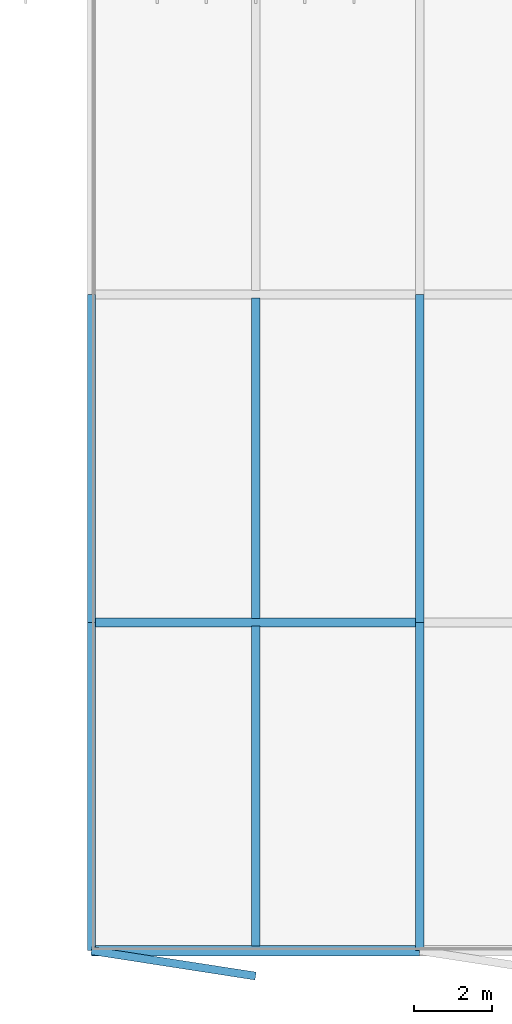
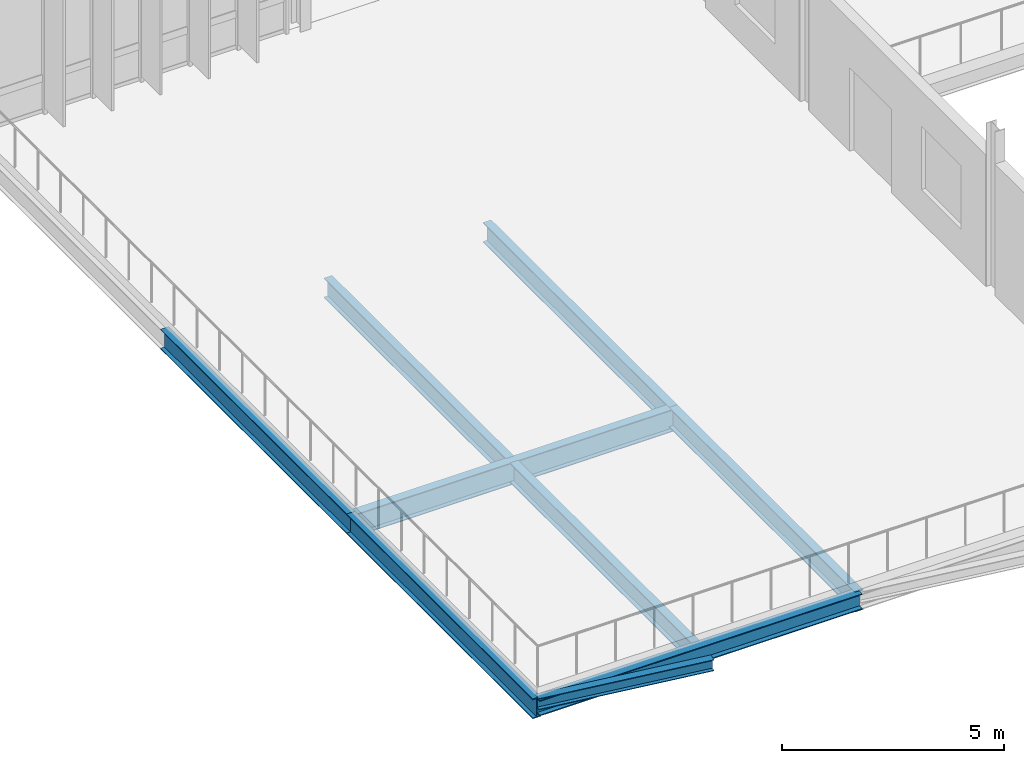
# One storey, part 20 of 139: 9 beams.
"""IFC4 building model written with IfcOpenShell, lengths in metres."""

from ifc_helpers import new_model, si_unit, derived_unit, direction, frame, origin, origin_2d, place, context, subcontext, project, spatial, i_section, extrude, material, material_profile, profile_set, type_object, element, save


model = new_model("IFC4")

# Units and contexts
model_context = context("Model", 3, precision=1e-05, world=origin(), true_north=direction((0.0, 1.0)))
body_context = subcontext(model_context, "Body", "Model", "MODEL_VIEW")
ifc_project = project(units=[si_unit("LENGTHUNIT", "METRE"), si_unit("AREAUNIT", "SQUARE_METRE"), si_unit("VOLUMEUNIT", "CUBIC_METRE"), si_unit("PLANEANGLEUNIT", "RADIAN"), si_unit("MASSUNIT", "GRAM", prefix="KILO"), derived_unit("THERMALTRANSMITTANCEUNIT", [(si_unit("MASSUNIT", "GRAM", prefix="KILO"), 1), (si_unit("TIMEUNIT", "SECOND"), -3), (si_unit("THERMODYNAMICTEMPERATUREUNIT", "KELVIN"), -1)])], contexts=[model_context])

# Site, building, storey
site_placement = place(None, origin())
site = spatial("IfcSite", under=ifc_project, at=site_placement, CompositionType="ELEMENT")
building_placement = place(site_placement, origin())
building = spatial("IfcBuilding", under=site, at=building_placement, Name="Makaiwela Harbour Ferry Terminal", CompositionType="ELEMENT")
storey_placement = place(building_placement, frame((0.0, 0.0, 5.10009765625)))
storey = spatial("IfcBuildingStorey", under=building, at=storey_placement, Name="L01", CompositionType="ELEMENT", Elevation=5.10009765625)

# Beams
ifc_material = material(Name="Steel ASTM A992 Grade 50", Category="steel")
ifc_material_profile_1 = material_profile(ifc_material, i_section(OverallWidth=0.214111328125, OverallDepth=0.549072265625, WebThickness=0.0146484375, FlangeThickness=0.023681640625, at=origin_2d()), Name="W21X93")
ifc_profile_set_1 = profile_set([ifc_material_profile_1], Name="Steel ASTM A992 Grade 50")
beam_type_1 = type_object("IfcBeamType", Name="STR-BM-W21X93", PredefinedType="BEAM", material=ifc_profile_set_1)
beam_1_placement = place(storey_placement, frame((54.60009765625, 0.0, -0.5546875), z_axis=(0.0, 1.0, 0.0), x_axis=(-1.0, 0.0, 0.0)))
element("IfcBeam", 1, at=beam_1_placement, inside=storey, type_object=beam_type_1, Name="Primary Y girder 916", PredefinedType="BEAM", context=body_context, shape_type="SweptSolid", body=[
    extrude(i_section(OverallWidth=0.214111328125, OverallDepth=0.549072265625, WebThickness=0.0146484375, FlangeThickness=0.023681640625, at=origin_2d()), origin(), (0.0, 0.0, 1.0), 8.39990234375),
])
beam_2_placement = place(storey_placement, frame((54.60009765625, 8.39990234375, -0.5546875), z_axis=(0.0, 1.0, 0.0), x_axis=(-1.0, 0.0, 0.0)))
element("IfcBeam", 2, at=beam_2_placement, inside=storey, type_object=beam_type_1, Name="Primary Y girder 917", PredefinedType="BEAM", context=body_context, shape_type="SweptSolid", body=[
    extrude(i_section(OverallWidth=0.214111328125, OverallDepth=0.549072265625, WebThickness=0.0146484375, FlangeThickness=0.023681640625, at=origin_2d()), origin(), (0.0, 0.0, 1.0), 8.400146484375),
])
beam_3_placement = place(storey_placement, frame((63.0, 0.0, -0.5546875), z_axis=(0.0, 1.0, 0.0), x_axis=(-1.0, 0.0, 0.0)))
element("IfcBeam", 3, at=beam_3_placement, inside=storey, type_object=beam_type_1, Name="Primary Y girder 922", PredefinedType="BEAM", context=body_context, shape_type="SweptSolid", body=[
    extrude(i_section(OverallWidth=0.214111328125, OverallDepth=0.549072265625, WebThickness=0.0146484375, FlangeThickness=0.023681640625, at=origin_2d()), origin(), (0.0, 0.0, 1.0), 8.39990234375),
])
beam_4_placement = place(storey_placement, frame((63.0, 8.39990234375, -0.5546875), z_axis=(0.0, 1.0, 0.0), x_axis=(-1.0, 0.0, 0.0)))
element("IfcBeam", 4, at=beam_4_placement, inside=storey, type_object=beam_type_1, Name="Primary Y girder 923", PredefinedType="BEAM", context=body_context, shape_type="SweptSolid", body=[
    extrude(i_section(OverallWidth=0.214111328125, OverallDepth=0.549072265625, WebThickness=0.0146484375, FlangeThickness=0.023681640625, at=origin_2d()), origin(), (0.0, 0.0, 1.0), 8.400146484375),
])
beam_5_placement = place(storey_placement, frame((58.800048828125, 0.114501953125, -0.5546875), z_axis=(0.0, 1.0, 0.0), x_axis=(-1.0, 0.0, 0.0)))
element("IfcBeam", 5, at=beam_5_placement, inside=storey, type_object=beam_type_1, Name="Secondary floor beam 1070", PredefinedType="BEAM", context=body_context, shape_type="SweptSolid", body=[
    extrude(i_section(OverallWidth=0.214111328125, OverallDepth=0.549072265625, WebThickness=0.0146484375, FlangeThickness=0.023681640625, at=origin_2d()), origin(), (0.0, 0.0, 1.0), 8.18896484375),
])
beam_6_placement = place(storey_placement, frame((58.800048828125, 8.49658203125, -0.5546875), z_axis=(0.0, 1.0, 0.0), x_axis=(-1.0, 0.0, 0.0)))
element("IfcBeam", 6, at=beam_6_placement, inside=storey, type_object=beam_type_1, Name="Secondary floor beam 1071", PredefinedType="BEAM", context=body_context, shape_type="SweptSolid", body=[
    extrude(i_section(OverallWidth=0.214111328125, OverallDepth=0.549072265625, WebThickness=0.0146484375, FlangeThickness=0.023681640625, at=origin_2d()), origin(), (0.0, 0.0, 1.0), 8.20703125),
])
ifc_material_profile_2 = material_profile(ifc_material, i_section(OverallWidth=0.22900390625, OverallDepth=0.612060546875, WebThickness=0.011962890625, FlangeThickness=0.01953125, at=origin_2d()), Name="W24X84")
ifc_profile_set_2 = profile_set([ifc_material_profile_2], Name="Steel ASTM A992 Grade 50")
beam_type_2 = type_object("IfcBeamType", Name="STR-GRD-W24X84", PredefinedType="USERDEFINED", material=ifc_profile_set_2)
beam_7_placement = place(storey_placement, frame((54.60009765625, 8.39990234375, -0.586181640625), z_axis=(1.0, 0.0, 0.0), x_axis=(0.0, 1.0, 0.0)))
element("IfcBeam", 7, at=beam_7_placement, inside=storey, type_object=beam_type_2, Name="Primary X girder 726", ObjectType="GIRDER", PredefinedType="USERDEFINED", context=body_context, shape_type="SweptSolid", body=[
    extrude(i_section(OverallWidth=0.22900390625, OverallDepth=0.612060546875, WebThickness=0.011962890625, FlangeThickness=0.01953125, at=origin_2d()), origin(), (0.0, 0.0, 1.0), 8.39990234375),
])
ifc_material_profile_3 = material_profile(ifc_material, i_section(OverallWidth=0.205078125, OverallDepth=0.31005859375, WebThickness=0.009521484375, FlangeThickness=0.016357421875, at=origin_2d()), Name="W12X50")
ifc_profile_set_3 = profile_set([ifc_material_profile_3], Name="Steel ASTM A992 Grade 50")
beam_type_3 = type_object("IfcBeamType", Name="STR-LNT-W12X50", PredefinedType="LINTEL", material=ifc_profile_set_3)
beam_8_placement = place(storey_placement, frame((58.800048828125, -0.64990234375, -0.400146484375), z_axis=(-0.988238498139, 0.15292047213, 0.0), x_axis=(-0.15292047213, -0.988238498139, 0.0)))
element("IfcBeam", 8, at=beam_8_placement, inside=storey, type_object=beam_type_3, Name="Structural Beam LN-01", PredefinedType="LINTEL", context=body_context, shape_type="SweptSolid", body=[
    extrude(i_section(OverallWidth=0.205078125, OverallDepth=0.31005859375, WebThickness=0.009521484375, FlangeThickness=0.016357421875, at=origin_2d()), origin(), (0.0, 0.0, 1.0), 4.25),
])
ifc_material_profile_4 = material_profile(ifc_material, i_section(OverallWidth=0.264892578125, OverallDepth=0.430908203125, WebThickness=0.014892578125, FlangeThickness=0.02490234375, at=origin_2d()), Name="W16X100")
ifc_profile_set_4 = profile_set([ifc_material_profile_4], Name="Steel ASTM A992 Grade 50")
beam_type_4 = type_object("IfcBeamType", Name="STR-SPN-W16X100", PredefinedType="SPANDREL", material=ifc_profile_set_4)
beam_9_placement = place(storey_placement, frame((54.60009765625, 0.0, -0.49560546875), z_axis=(1.0, 0.0, 0.0), x_axis=(0.0, 1.0, 0.0)))
element("IfcBeam", 9, at=beam_9_placement, inside=storey, type_object=beam_type_4, Name="Primary X girder 712", PredefinedType="SPANDREL", context=body_context, shape_type="SweptSolid", body=[
    extrude(i_section(OverallWidth=0.264892578125, OverallDepth=0.430908203125, WebThickness=0.014892578125, FlangeThickness=0.02490234375, at=origin_2d()), origin(), (0.0, 0.0, 1.0), 8.39990234375),
])

save(model, "model.ifc")
